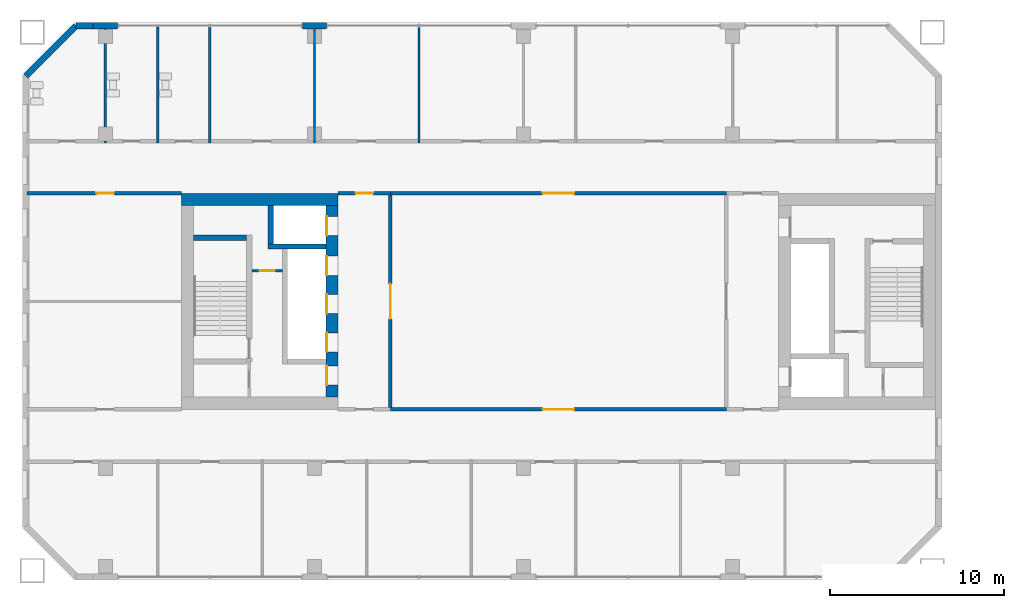
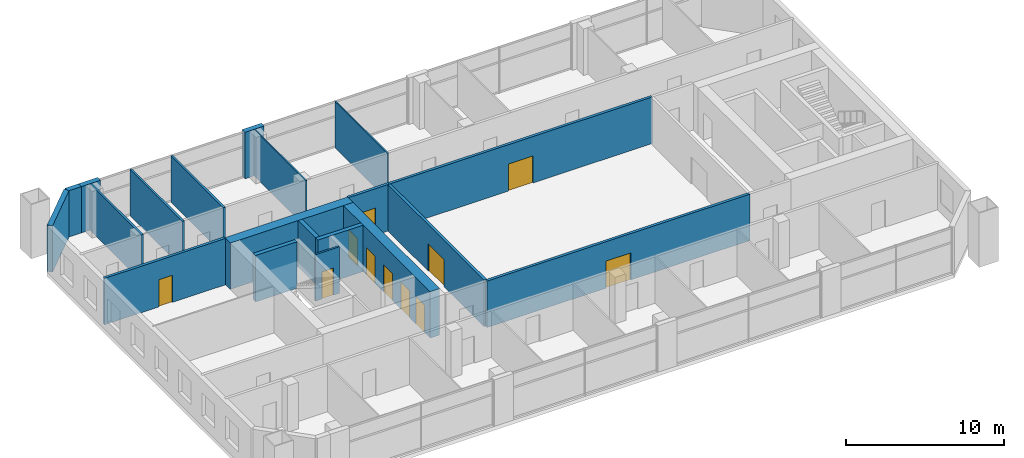
# One storey, part 11 of 19: 20 walls, 11 doors, 11 openings.
"""IFC4 building model written with IfcOpenShell, lengths in metres."""

from ifc_helpers import new_model, si_unit, direction, frame, frame_2d, origin, place, context, subcontext, project, spatial, rectangle, extrude, material, layer, layer_set, type_object, element, fill, save


model = new_model("IFC4")

# Units and contexts
model_context = context("Model", 3, precision=1e-05, world=origin(), true_north=direction((0.0, 1.0)))
body_context = subcontext(model_context, "Body", "Model", "MODEL_VIEW")
ifc_project = project(units=[si_unit("LENGTHUNIT", "METRE"), si_unit("AREAUNIT", "SQUARE_METRE"), si_unit("VOLUMEUNIT", "CUBIC_METRE"), si_unit("PLANEANGLEUNIT", "RADIAN"), si_unit("MASSUNIT", "GRAM", prefix="KILO")], contexts=[model_context])

# Site, building, storey
site_placement = place(None, origin())
site = spatial("IfcSite", under=ifc_project, at=site_placement, CompositionType="ELEMENT")
building_placement = place(site_placement, origin())
building = spatial("IfcBuilding", under=site, at=building_placement, Name="Tuart Gate Housing", CompositionType="ELEMENT")
storey_placement = place(building_placement, frame((0.0, 0.0, 67.39990234375)))
storey = spatial("IfcBuildingStorey", under=building, at=storey_placement, Name="L18", CompositionType="ELEMENT", Elevation=67.39990234375)

# Walls
ifc_material_1 = material(Name="Gypsum board on steel studs", Category="steel")
ifc_layer_1 = layer(ifc_material_1, 0.14990234375)
ifc_layer_set_1 = layer_set([ifc_layer_1], Name="Bathroom wall 150")
wall_type_1 = type_object("IfcWallType", Name="Bathroom wall 150", PredefinedType="PLUMBINGWALL", material=ifc_layer_set_1)
for number, where, z_axis, x_axis, name in (
    (1, (28.0, 79.10009765625, 0.0), (0.0, 0.0, 1.0), (0.0, 1.0, 0.0), "Bathroom wall 150"),
    (2, (31.0, 79.10009765625, 0.0), (0.0, 0.0, 1.0), (0.0, 1.0, 0.0), "Bathroom wall 150"),
    (3, (34.0, 79.10009765625, 0.0), (0.0, 0.0, 1.0), (0.0, 1.0, 0.0), "Bathroom wall 150"),
):
    element("IfcWall", number, at=place(storey_placement, frame(where, z_axis=z_axis, x_axis=x_axis)), inside=storey, type_object=wall_type_1, Name=name, PredefinedType="PLUMBINGWALL", context=body_context, shape_type="SweptSolid", body=[
        extrude(rectangle(XDim=6.659912109375, YDim=0.14990234375, at=frame_2d((3.330078125, 0.0))), origin(), (0.0, 0.0, 1.0), 3.60009765625),
    ])
ifc_material_2 = material(Name="Brick", Category="masonry")
ifc_layer_2 = layer(ifc_material_2, 0.360107421875)
ifc_layer_set_2 = layer_set([ifc_layer_2], Name="Brick pier and spandrel wall 360")
wall_type_2 = type_object("IfcWallType", Name="Brick pier and spandrel wall 360", PredefinedType="STANDARD", material=ifc_layer_set_2)
for number, where, z_axis, x_axis, name in (
    (4, (40.699951171875, 85.820068359375, 0.0), (0.0, 0.0, 1.0), (-1.0, 0.0, 0.0), "External wall A-N L18"),
    (5, (28.699951171875, 85.820068359375, 0.0), (0.0, 0.0, 1.0), (-1.0, 0.0, 0.0), "External wall A-N L18"),
):
    element("IfcWall", number, at=place(storey_placement, frame(where, z_axis=z_axis, x_axis=x_axis)), inside=storey, type_object=wall_type_2, Name=name, PredefinedType="STANDARD", context=body_context, shape_type="SweptSolid", body=[
        extrude(rectangle(XDim=1.39990234375, YDim=0.360107421875, at=frame_2d((0.699951171875, 0.0))), origin(), (0.0, 0.0, 1.0), 3.60009765625),
    ])
wall_1_placement = place(storey_placement, frame((27.300048828125, 85.820068359375, 0.0), z_axis=(0.0, 0.0, 1.0), x_axis=(-1.0, 0.0, 0.0)))
element("IfcWall", 6, at=wall_1_placement, inside=storey, type_object=wall_type_2, Name="External wall A-N L18", PredefinedType="STANDARD", context=body_context, shape_type="SweptSolid", body=[
    extrude(rectangle(XDim=0.9755859375, YDim=0.360107421875, at=frame_2d((0.48779296875, 0.0))), origin(), (0.0, 0.0, 1.0), 3.60009765625),
])
wall_2_placement = place(storey_placement, frame((26.32470703125, 85.820068359375, 0.0), z_axis=(0.0, 0.0, 1.0), x_axis=(-0.707106781187, -0.707106781187, 0.0)))
element("IfcWall", 7, at=wall_2_placement, inside=storey, type_object=wall_type_2, Name="External wall A-NW L18", PredefinedType="STANDARD", context=body_context, shape_type="SweptSolid", body=[
    extrude(rectangle(XDim=4.09375, YDim=0.360107421875, at=frame_2d((2.046875, 0.0))), origin(), (0.0, 0.0, 1.0), 3.60009765625),
])

# Wall, opening, door
ifc_material_3 = material(Name="Plasterboard partition")
ifc_layer_3 = layer(ifc_material_3, 0.14990234375)
ifc_layer_set_3 = layer_set([ifc_layer_3], Name="Core partition 150")
wall_type_3 = type_object("IfcWallType", Name="Core partition 150", PredefinedType="PARTITIONING", material=ifc_layer_set_3)
wall_3_placement = place(storey_placement, frame((38.159912109375, 71.75, 0.0), z_axis=(0.0, 0.0, 1.0), x_axis=(-1.0, 0.0, 0.0)))
wall_3 = element("IfcWall", 8, at=wall_3_placement, inside=storey, type_object=wall_type_3, Name="Core partition AK.3", PredefinedType="PARTITIONING", context=body_context, shape_type="SweptSolid", body=[
    extrude(rectangle(XDim=1.75, YDim=0.14990234375, at=frame_2d((0.875, 0.0))), origin(), (0.0, 0.0, 1.0), 3.60009765625),
])
opening_1_placement = place(wall_3_placement, frame((0.449951171875, 0.0, 0.0)))
opening_1 = element("IfcOpeningElement", 9, at=opening_1_placement, cuts=wall_3, Name="Opening D086", PredefinedType="OPENING", context=body_context, shape_type="SweptSolid", body=[
    extrude(rectangle(XDim=0.85009765625, YDim=2.10009765625, at=frame_2d((0.425048828125, 1.050048828125))), frame((0.0, 0.0849609375, 0.0), z_axis=(0.0, -1.0, 0.0), x_axis=(1.0, 0.0, 0.0)), (0.0, 0.0, 1.0), 0.169921875),
])
ifc_material_4 = material(Name="Steel fire door", Category="steel")
door_type_1 = type_object("IfcDoorType", Name="Riser door 850 x 2100 RH", OperationType="SINGLE_SWING_RIGHT", PredefinedType="DOOR", material=ifc_material_4)
door_1_placement = place(opening_1_placement, frame((0.85009765625, 0.0, 0.0), z_axis=(0.0, 0.0, 1.0), x_axis=(-1.0, 0.0, 0.0)))
door_1 = element("IfcDoor", 10, at=door_1_placement, inside=storey, type_object=door_type_1, Name="Service room door AK.E1", OperationType="SINGLE_SWING_RIGHT", OverallHeight=2.10009765625, OverallWidth=0.85009765625, PredefinedType="DOOR", context=body_context, shape_type="SweptSolid", body=[
    extrude(rectangle(XDim=0.85009765625, YDim=2.10009765625, at=frame_2d((0.425048828125, 1.050048828125))), frame((0.0, 0.025146484375, 0.0), z_axis=(0.0, -1.0, 0.0), x_axis=(1.0, 0.0, 0.0)), (0.0, 0.0, 1.0), 0.050048828125),
])
fill(opening_1, door_1)

# Walls
ifc_material_5 = material(Name="Concrete C50", Category="concrete")
ifc_layer_4 = layer(ifc_material_5, 0.300048828125)
ifc_layer_set_4 = layer_set([ifc_layer_4], Name="Core wall 300 C50")
wall_type_4 = type_object("IfcWallType", Name="Core wall 300 C50", PredefinedType="SHEAR", material=ifc_layer_set_4)
wall_4_placement = place(storey_placement, frame((36.110107421875, 73.64990234375, 0.0), z_axis=(0.0, 0.0, 1.0), x_axis=(-1.0, 0.0, 0.0)))
element("IfcWall", 11, at=wall_4_placement, inside=storey, type_object=wall_type_4, Name="Core wall AK.1", PredefinedType="SHEAR", context=body_context, shape_type="SweptSolid", body=[
    extrude(rectangle(XDim=3.050048828125, YDim=0.300048828125, at=frame_2d((1.52490234375, 0.0))), origin(), (0.0, 0.0, 1.0), 3.60009765625),
])
wall_5_placement = place(storey_placement, frame((40.659912109375, 73.14990234375, 0.0), z_axis=(0.0, 0.0, 1.0), x_axis=(-1.0, 0.0, 0.0)))
element("IfcWall", 12, at=wall_5_placement, inside=storey, type_object=wall_type_4, Name="Core wall AK.2", PredefinedType="SHEAR", context=body_context, shape_type="SweptSolid", body=[
    extrude(rectangle(XDim=3.31982421875, YDim=0.300048828125, at=frame_2d((1.659912109375, 0.0))), origin(), (0.0, 0.0, 1.0), 3.60009765625),
])
wall_6_placement = place(storey_placement, frame((37.489990234375, 75.5, 0.0), z_axis=(0.0, 0.0, 1.0), x_axis=(0.0, -1.0, 0.0)))
element("IfcWall", 13, at=wall_6_placement, inside=storey, type_object=wall_type_4, Name="Core wall AK.7", PredefinedType="SHEAR", context=body_context, shape_type="SweptSolid", body=[
    extrude(rectangle(XDim=2.199951171875, YDim=0.300048828125, at=frame_2d((1.10009765625, 0.0))), origin(), (0.0, 0.0, 1.0), 3.60009765625),
])

# Wall, openings, doors
ifc_material_6 = material(Name="Concrete C50", Category="concrete")
ifc_layer_5 = layer(ifc_material_6, 0.699951171875)
ifc_layer_set_5 = layer_set([ifc_layer_5], Name="Core wall 700 C50")
wall_type_5 = type_object("IfcWallType", Name="Core wall 700 C50", PredefinedType="SHEAR", material=ifc_layer_set_5)
wall_7_placement = place(storey_placement, frame((41.010009765625, 75.5, 0.0), z_axis=(0.0, 0.0, 1.0), x_axis=(0.0, -1.0, 0.0)))
wall_7 = element("IfcWall", 14, at=wall_7_placement, inside=storey, type_object=wall_type_5, Name="Core wall AK front", PredefinedType="SHEAR", context=body_context, shape_type="SweptSolid", body=[
    extrude(rectangle(XDim=11.0, YDim=0.699951171875, at=frame_2d((5.5, 0.0))), origin(), (0.0, 0.0, 1.0), 3.60009765625),
])
opening_2_placement = place(wall_7_placement, frame((0.625, 0.0, 0.0)))
opening_2 = element("IfcOpeningElement", 15, at=opening_2_placement, cuts=wall_7, Name="Opening LD-FA2", PredefinedType="OPENING", context=body_context, shape_type="SweptSolid", body=[
    extrude(rectangle(XDim=1.10009765625, YDim=2.10009765625, at=frame_2d((0.550048828125, 1.050048828125))), frame((0.0, 0.35986328125, 0.0), z_axis=(0.0, -1.0, 0.0), x_axis=(1.0, 0.0, 0.0)), (0.0, 0.0, 1.0), 0.719970703125),
])
opening_3_placement = place(wall_7_placement, frame((2.89990234375, 0.0, 0.0)))
opening_3 = element("IfcOpeningElement", 16, at=opening_3_placement, cuts=wall_7, Name="Opening LD-LA4", PredefinedType="OPENING", context=body_context, shape_type="SweptSolid", body=[
    extrude(rectangle(XDim=1.10009765625, YDim=2.10009765625, at=frame_2d((0.550048828125, 1.050048828125))), frame((0.0, 0.35986328125, 0.0), z_axis=(0.0, -1.0, 0.0), x_axis=(1.0, 0.0, 0.0)), (0.0, 0.0, 1.0), 0.719970703125),
])
opening_4_placement = place(wall_7_placement, frame((5.10009765625, 0.0, 0.0)))
opening_4 = element("IfcOpeningElement", 17, at=opening_4_placement, cuts=wall_7, Name="Opening LD-LA5", PredefinedType="OPENING", context=body_context, shape_type="SweptSolid", body=[
    extrude(rectangle(XDim=1.10009765625, YDim=2.10009765625, at=frame_2d((0.550048828125, 1.050048828125))), frame((0.0, 0.35986328125, 0.0), z_axis=(0.0, -1.0, 0.0), x_axis=(1.0, 0.0, 0.0)), (0.0, 0.0, 1.0), 0.719970703125),
])
opening_5_placement = place(wall_7_placement, frame((7.300048828125, 0.0, 0.0)))
opening_5 = element("IfcOpeningElement", 18, at=opening_5_placement, cuts=wall_7, Name="Opening LD-LA6", PredefinedType="OPENING", context=body_context, shape_type="SweptSolid", body=[
    extrude(rectangle(XDim=1.10009765625, YDim=2.10009765625, at=frame_2d((0.550048828125, 1.050048828125))), frame((0.0, 0.35986328125, 0.0), z_axis=(0.0, -1.0, 0.0), x_axis=(1.0, 0.0, 0.0)), (0.0, 0.0, 1.0), 0.719970703125),
])
opening_6_placement = place(wall_7_placement, frame((9.199951171875, 0.0, 0.0)))
opening_6 = element("IfcOpeningElement", 19, at=opening_6_placement, cuts=wall_7, Name="Opening D088", PredefinedType="OPENING", context=body_context, shape_type="SweptSolid", body=[
    extrude(rectangle(XDim=1.10009765625, YDim=2.10009765625, at=frame_2d((0.550048828125, 1.050048828125))), frame((0.0, 0.35986328125, 0.0), z_axis=(0.0, -1.0, 0.0), x_axis=(1.0, 0.0, 0.0)), (0.0, 0.0, 1.0), 0.719970703125),
])
ifc_material_7 = material(Name="Stainless steel", Category="steel")
door_type_2 = type_object("IfcDoorType", Name="Landing door 1100 x 2100", OperationType="DOUBLE_DOOR_SLIDING", PredefinedType="DOOR", material=ifc_material_7)
door_2_placement = place(opening_2_placement, origin())
door_2 = element("IfcDoor", 20, at=door_2_placement, inside=storey, type_object=door_type_2, Name="Lift landing door FA2", OperationType="DOUBLE_DOOR_SLIDING", OverallHeight=2.10009765625, OverallWidth=1.10009765625, PredefinedType="DOOR", context=body_context, shape_type="SweptSolid", body=[
    extrude(rectangle(XDim=1.10009765625, YDim=2.10009765625, at=frame_2d((0.550048828125, 1.050048828125))), frame((0.0, -0.28515625, 0.0), z_axis=(0.0, -1.0, 0.0), x_axis=(1.0, 0.0, 0.0)), (0.0, 0.0, 1.0), 0.050048828125),
])
fill(opening_2, door_2)
door_3_placement = place(opening_3_placement, origin())
door_3 = element("IfcDoor", 21, at=door_3_placement, inside=storey, type_object=door_type_2, Name="Lift landing door LA4", OperationType="DOUBLE_DOOR_SLIDING", OverallHeight=2.10009765625, OverallWidth=1.10009765625, PredefinedType="DOOR", context=body_context, shape_type="SweptSolid", body=[
    extrude(rectangle(XDim=1.10009765625, YDim=2.10009765625, at=frame_2d((0.550048828125, 1.050048828125))), frame((0.0, -0.28515625, 0.0), z_axis=(0.0, -1.0, 0.0), x_axis=(1.0, 0.0, 0.0)), (0.0, 0.0, 1.0), 0.050048828125),
])
fill(opening_3, door_3)
door_4_placement = place(opening_4_placement, origin())
door_4 = element("IfcDoor", 22, at=door_4_placement, inside=storey, type_object=door_type_2, Name="Lift landing door LA5", OperationType="DOUBLE_DOOR_SLIDING", OverallHeight=2.10009765625, OverallWidth=1.10009765625, PredefinedType="DOOR", context=body_context, shape_type="SweptSolid", body=[
    extrude(rectangle(XDim=1.10009765625, YDim=2.10009765625, at=frame_2d((0.550048828125, 1.050048828125))), frame((0.0, -0.28515625, 0.0), z_axis=(0.0, -1.0, 0.0), x_axis=(1.0, 0.0, 0.0)), (0.0, 0.0, 1.0), 0.050048828125),
])
fill(opening_4, door_4)
door_5_placement = place(opening_5_placement, origin())
door_5 = element("IfcDoor", 23, at=door_5_placement, inside=storey, type_object=door_type_2, Name="Lift landing door LA6", OperationType="DOUBLE_DOOR_SLIDING", OverallHeight=2.10009765625, OverallWidth=1.10009765625, PredefinedType="DOOR", context=body_context, shape_type="SweptSolid", body=[
    extrude(rectangle(XDim=1.10009765625, YDim=2.10009765625, at=frame_2d((0.550048828125, 1.050048828125))), frame((0.0, -0.28515625, 0.0), z_axis=(0.0, -1.0, 0.0), x_axis=(1.0, 0.0, 0.0)), (0.0, 0.0, 1.0), 0.050048828125),
])
fill(opening_5, door_5)
ifc_material_8 = material(Name="Steel fire door", Category="steel")
door_type_3 = type_object("IfcDoorType", Name="Lobby door 1100 x 2100 RH", OperationType="SINGLE_SWING_RIGHT", PredefinedType="DOOR", material=ifc_material_8)
door_6_placement = place(opening_6_placement, frame((1.10009765625, 0.0, 0.0), z_axis=(0.0, 0.0, 1.0), x_axis=(-1.0, 0.0, 0.0)))
door_6 = element("IfcDoor", 24, at=door_6_placement, inside=storey, type_object=door_type_3, Name="Lobby entry door AK.EN", OperationType="SINGLE_SWING_RIGHT", OverallHeight=2.10009765625, OverallWidth=1.10009765625, PredefinedType="DOOR", context=body_context, shape_type="SweptSolid", body=[
    extrude(rectangle(XDim=1.10009765625, YDim=2.10009765625, at=frame_2d((0.550048828125, 1.050048828125))), frame((0.0, 0.335205078125, 0.0), z_axis=(0.0, -1.0, 0.0), x_axis=(1.0, 0.0, 0.0)), (0.0, 0.0, 1.0), 0.050048828125),
])
fill(opening_6, door_6)

# Wall
wall_8_placement = place(storey_placement, frame((41.360107421875, 75.85009765625, 0.0), z_axis=(0.0, 0.0, 1.0), x_axis=(-1.0, 0.0, 0.0)))
element("IfcWall", 25, at=wall_8_placement, inside=storey, type_object=wall_type_5, Name="Core wall AK south", PredefinedType="SHEAR", context=body_context, shape_type="SweptSolid", body=[
    extrude(rectangle(XDim=9.0, YDim=0.699951171875, at=frame_2d((4.5, 0.0))), origin(), (0.0, 0.0, 1.0), 3.60009765625),
])

# Wall, opening, door
ifc_material_9 = material(Name="Concrete masonry 15 MPa", Category="masonry")
ifc_layer_6 = layer(ifc_material_9, 0.199951171875)
ifc_layer_set_6 = layer_set([ifc_layer_6], Name="Corridor wall masonry 200")
wall_type_6 = type_object("IfcWallType", Name="Corridor wall masonry 200", PredefinedType="PARTITIONING", material=ifc_layer_set_6)
wall_9_placement = place(storey_placement, frame((44.360107421875, 63.800048828125, 0.0), z_axis=(0.0, 0.0, 1.0), x_axis=(1.0, 0.0, 0.0)))
wall_9 = element("IfcWall", 26, at=wall_9_placement, inside=storey, type_object=wall_type_6, Name="Corridor wall masonry 200", PredefinedType="PARTITIONING", context=body_context, shape_type="SweptSolid", body=[
    extrude(rectangle(XDim=19.27978515625, YDim=0.199951171875, at=frame_2d((9.639892578125, 0.0))), origin(), (0.0, 0.0, 1.0), 3.60009765625),
])
opening_7_placement = place(wall_9_placement, frame((8.739990234375, 0.0, 0.0)))
opening_7 = element("IfcOpeningElement", 27, at=opening_7_placement, cuts=wall_9, Name="Opening D097", PredefinedType="OPENING", context=body_context, shape_type="SweptSolid", body=[
    extrude(rectangle(XDim=1.800048828125, YDim=2.10009765625, at=frame_2d((0.89990234375, 1.050048828125))), frame((0.0, 0.10986328125, 0.0), z_axis=(0.0, -1.0, 0.0), x_axis=(1.0, 0.0, 0.0)), (0.0, 0.0, 1.0), 0.219970703125),
])
ifc_material_10 = material(Name="Timber door leaf in steel frame", Category="steel")
door_type_4 = type_object("IfcDoorType", Name="Double door 1800", OperationType="DOUBLE_DOOR_SINGLE_SWING", PredefinedType="DOOR", material=ifc_material_10)
door_7_placement = place(opening_7_placement, frame((1.800048828125, 0.0, 0.0), z_axis=(0.0, 0.0, 1.0), x_axis=(-1.0, 0.0, 0.0)))
door_7 = element("IfcDoor", 28, at=door_7_placement, inside=storey, type_object=door_type_4, Name="Double door 1800", OperationType="DOUBLE_DOOR_SINGLE_SWING", OverallHeight=2.10009765625, OverallWidth=1.800048828125, PredefinedType="DOOR", context=body_context, shape_type="SweptSolid", body=[
    extrude(rectangle(XDim=1.800048828125, YDim=2.10009765625, at=frame_2d((0.900146484375, 1.050048828125))), frame((0.0, 0.025146484375, 0.0), z_axis=(0.0, -1.0, 0.0), x_axis=(1.0, 0.0, 0.0)), (0.0, 0.0, 1.0), 0.050048828125),
])
fill(opening_7, door_7)

wall_10_placement = place(storey_placement, frame((23.489990234375, 76.199951171875, 0.0), z_axis=(0.0, 0.0, 1.0), x_axis=(1.0, 0.0, 0.0)))
wall_10 = element("IfcWall", 29, at=wall_10_placement, inside=storey, type_object=wall_type_6, Name="Corridor wall masonry 200", PredefinedType="PARTITIONING", context=body_context, shape_type="SweptSolid", body=[
    extrude(rectangle(XDim=8.8701171875, YDim=0.199951171875, at=frame_2d((4.43505859375, 0.0))), origin(), (0.0, 0.0, 1.0), 3.60009765625),
])
opening_8_placement = place(wall_10_placement, frame((3.9951171875, 0.0, 0.0)))
opening_8 = element("IfcOpeningElement", 30, at=opening_8_placement, cuts=wall_10, Name="Opening D081", PredefinedType="OPENING", context=body_context, shape_type="SweptSolid", body=[
    extrude(rectangle(XDim=1.0, YDim=2.10009765625, at=frame_2d((0.5, 1.050048828125))), frame((0.0, 0.10986328125, 0.0), z_axis=(0.0, -1.0, 0.0), x_axis=(1.0, 0.0, 0.0)), (0.0, 0.0, 1.0), 0.219970703125),
])
ifc_material_11 = material(Name="Timber door leaf in steel frame", Category="steel")
door_type_5 = type_object("IfcDoorType", Name="Fire door 1000 RH", OperationType="SINGLE_SWING_RIGHT", PredefinedType="DOOR", material=ifc_material_11)
door_8_placement = place(opening_8_placement, frame((1.0, 0.0, 0.0), z_axis=(0.0, 0.0, 1.0), x_axis=(-1.0, 0.0, 0.0)))
door_8 = element("IfcDoor", 31, at=door_8_placement, inside=storey, type_object=door_type_5, Name="Fire door 1000", OperationType="SINGLE_SWING_RIGHT", OverallHeight=2.10009765625, OverallWidth=1.0, PredefinedType="DOOR", context=body_context, shape_type="SweptSolid", body=[
    extrude(rectangle(XDim=1.0, YDim=2.10009765625, at=frame_2d((0.5, 1.050048828125))), frame((0.0, 0.025146484375, 0.0), z_axis=(0.0, -1.0, 0.0), x_axis=(1.0, 0.0, 0.0)), (0.0, 0.0, 1.0), 0.050048828125),
])
fill(opening_8, door_8)

wall_11_placement = place(storey_placement, frame((44.360107421875, 76.199951171875, 0.0), z_axis=(0.0, 0.0, 1.0), x_axis=(1.0, 0.0, 0.0)))
wall_11 = element("IfcWall", 32, at=wall_11_placement, inside=storey, type_object=wall_type_6, Name="Corridor wall masonry 200", PredefinedType="PARTITIONING", context=body_context, shape_type="SweptSolid", body=[
    extrude(rectangle(XDim=19.27978515625, YDim=0.199951171875, at=frame_2d((9.639892578125, 0.0))), origin(), (0.0, 0.0, 1.0), 3.60009765625),
])
opening_9_placement = place(wall_11_placement, frame((8.739990234375, 0.0, 0.0)))
opening_9 = element("IfcOpeningElement", 33, at=opening_9_placement, cuts=wall_11, Name="Opening D083", PredefinedType="OPENING", context=body_context, shape_type="SweptSolid", body=[
    extrude(rectangle(XDim=1.800048828125, YDim=2.10009765625, at=frame_2d((0.89990234375, 1.050048828125))), frame((0.0, 0.10986328125, 0.0), z_axis=(0.0, -1.0, 0.0), x_axis=(1.0, 0.0, 0.0)), (0.0, 0.0, 1.0), 0.219970703125),
])
door_9_placement = place(opening_9_placement, origin())
door_9 = element("IfcDoor", 34, at=door_9_placement, inside=storey, type_object=door_type_4, Name="Double door 1800", OperationType="DOUBLE_DOOR_SINGLE_SWING", OverallHeight=2.10009765625, OverallWidth=1.800048828125, PredefinedType="DOOR", context=body_context, shape_type="SweptSolid", body=[
    extrude(rectangle(XDim=1.800048828125, YDim=2.10009765625, at=frame_2d((0.89990234375, 1.050048828125))), frame((0.0, 0.02490234375, 0.0), z_axis=(0.0, -1.0, 0.0), x_axis=(1.0, 0.0, 0.0)), (0.0, 0.0, 1.0), 0.050048828125),
])
fill(opening_9, door_9)

ifc_material_12 = material(Name="Concrete masonry 15 MPa", Category="masonry")
ifc_layer_7 = layer(ifc_material_12, 0.199951171875)
ifc_layer_set_7 = layer_set([ifc_layer_7], Name="Enclosure wall masonry 200")
wall_type_7 = type_object("IfcWallType", Name="Enclosure wall masonry 200", PredefinedType="PARTITIONING", material=ifc_layer_set_7)
wall_12_placement = place(storey_placement, frame((41.360107421875, 76.199951171875, 0.0), z_axis=(0.0, 0.0, 1.0), x_axis=(1.0, 0.0, 0.0)))
wall_12 = element("IfcWall", 35, at=wall_12_placement, inside=storey, type_object=wall_type_7, Name="Enclosure wall masonry 200", PredefinedType="PARTITIONING", context=body_context, shape_type="SweptSolid", body=[
    extrude(rectangle(XDim=3.0, YDim=0.199951171875, at=frame_2d((1.5, 0.0))), origin(), (0.0, 0.0, 1.0), 3.60009765625),
])
opening_10_placement = place(wall_12_placement, frame((1.0, 0.0, 0.0)))
opening_10 = element("IfcOpeningElement", 36, at=opening_10_placement, cuts=wall_12, Name="Opening D082", PredefinedType="OPENING", context=body_context, shape_type="SweptSolid", body=[
    extrude(rectangle(XDim=1.0, YDim=2.10009765625, at=frame_2d((0.5, 1.050048828125))), frame((0.0, 0.10986328125, 0.0), z_axis=(0.0, -1.0, 0.0), x_axis=(1.0, 0.0, 0.0)), (0.0, 0.0, 1.0), 0.219970703125),
])
ifc_material_13 = material(Name="Timber door leaf in steel frame", Category="steel")
door_type_6 = type_object("IfcDoorType", Name="Lobby door 1000", OperationType="SINGLE_SWING_LEFT", PredefinedType="DOOR", material=ifc_material_13)
door_10_placement = place(opening_10_placement, frame((1.0, 0.0, 0.0), z_axis=(0.0, 0.0, 1.0), x_axis=(-1.0, 0.0, 0.0)))
door_10 = element("IfcDoor", 37, at=door_10_placement, inside=storey, type_object=door_type_6, Name="Lobby door 1000", OperationType="SINGLE_SWING_LEFT", OverallHeight=2.10009765625, OverallWidth=1.0, PredefinedType="DOOR", context=body_context, shape_type="SweptSolid", body=[
    extrude(rectangle(XDim=1.0, YDim=2.10009765625, at=frame_2d((0.5, 1.050048828125))), frame((0.0, 0.025146484375, 0.0), z_axis=(0.0, -1.0, 0.0), x_axis=(1.0, 0.0, 0.0)), (0.0, 0.0, 1.0), 0.050048828125),
])
fill(opening_10, door_10)

ifc_material_14 = material(Name="Plasterboard partition")
ifc_layer_8 = layer(ifc_material_14, 0.199951171875)
ifc_layer_set_8 = layer_set([ifc_layer_8], Name="Lobby wall 200")
wall_type_8 = type_object("IfcWallType", Name="Lobby wall 200", PredefinedType="PARTITIONING", material=ifc_layer_set_8)
wall_13_placement = place(storey_placement, frame((44.360107421875, 63.89990234375, 0.0), z_axis=(0.0, 0.0, 1.0), x_axis=(0.0, 1.0, 0.0)))
wall_13 = element("IfcWall", 38, at=wall_13_placement, inside=storey, type_object=wall_type_8, Name="Lift lobby wall AK", PredefinedType="PARTITIONING", context=body_context, shape_type="SweptSolid", body=[
    extrude(rectangle(XDim=12.2001953125, YDim=0.199951171875, at=frame_2d((6.10009765625, 0.0))), origin(), (0.0, 0.0, 1.0), 3.60009765625),
])
opening_11_placement = place(wall_13_placement, frame((5.10009765625, 0.0, 0.0)))
opening_11 = element("IfcOpeningElement", 39, at=opening_11_placement, cuts=wall_13, Name="Opening D089", PredefinedType="OPENING", context=body_context, shape_type="SweptSolid", body=[
    extrude(rectangle(XDim=2.0, YDim=2.10009765625, at=frame_2d((1.0, 1.050048828125))), frame((0.0, 0.10986328125, 0.0), z_axis=(0.0, -1.0, 0.0), x_axis=(1.0, 0.0, 0.0)), (0.0, 0.0, 1.0), 0.219970703125),
])
ifc_material_15 = material(Name="Steel fire door", Category="steel")
door_type_7 = type_object("IfcDoorType", Name="Smoke door 2000 x 2100", OperationType="DOUBLE_DOOR_SINGLE_SWING", PredefinedType="DOOR", material=ifc_material_15)
door_11_placement = place(opening_11_placement, origin())
door_11 = element("IfcDoor", 40, at=door_11_placement, inside=storey, type_object=door_type_7, Name="Lift lobby smoke door AK", OperationType="DOUBLE_DOOR_SINGLE_SWING", OverallHeight=2.10009765625, OverallWidth=2.0, PredefinedType="DOOR", context=body_context, shape_type="SweptSolid", body=[
    extrude(rectangle(XDim=2.0, YDim=2.10009765625, at=frame_2d((1.0, 1.050048828125))), frame((0.0, 0.02490234375, 0.0), z_axis=(0.0, -1.0, 0.0), x_axis=(1.0, 0.0, 0.0)), (0.0, 0.0, 1.0), 0.050048828125),
])
fill(opening_11, door_11)

# Walls
ifc_material_16 = material(Name="Gypsum board on steel studs", Category="steel")
ifc_layer_9 = layer(ifc_material_16, 0.10009765625)
ifc_layer_set_9 = layer_set([ifc_layer_9], Name="Partition 100")
wall_type_9 = type_object("IfcWallType", Name="Partition 100", PredefinedType="PARTITIONING", material=ifc_layer_set_9)
for number, where, z_axis, x_axis, name in (
    (41, (40.0, 79.10009765625, 0.0), (0.0, 0.0, 1.0), (0.0, 1.0, 0.0), "Partition 100"),
    (42, (46.0, 79.10009765625, 0.0), (0.0, 0.0, 1.0), (0.0, 1.0, 0.0), "Partition 100"),
):
    element("IfcWall", number, at=place(storey_placement, frame(where, z_axis=z_axis, x_axis=x_axis)), inside=storey, type_object=wall_type_9, Name=name, PredefinedType="PARTITIONING", context=body_context, shape_type="SweptSolid", body=[
        extrude(rectangle(XDim=6.659912109375, YDim=0.10009765625, at=frame_2d((3.330078125, 0.0))), origin(), (0.0, 0.0, 1.0), 3.60009765625),
    ])

save(model, "model.ifc")
